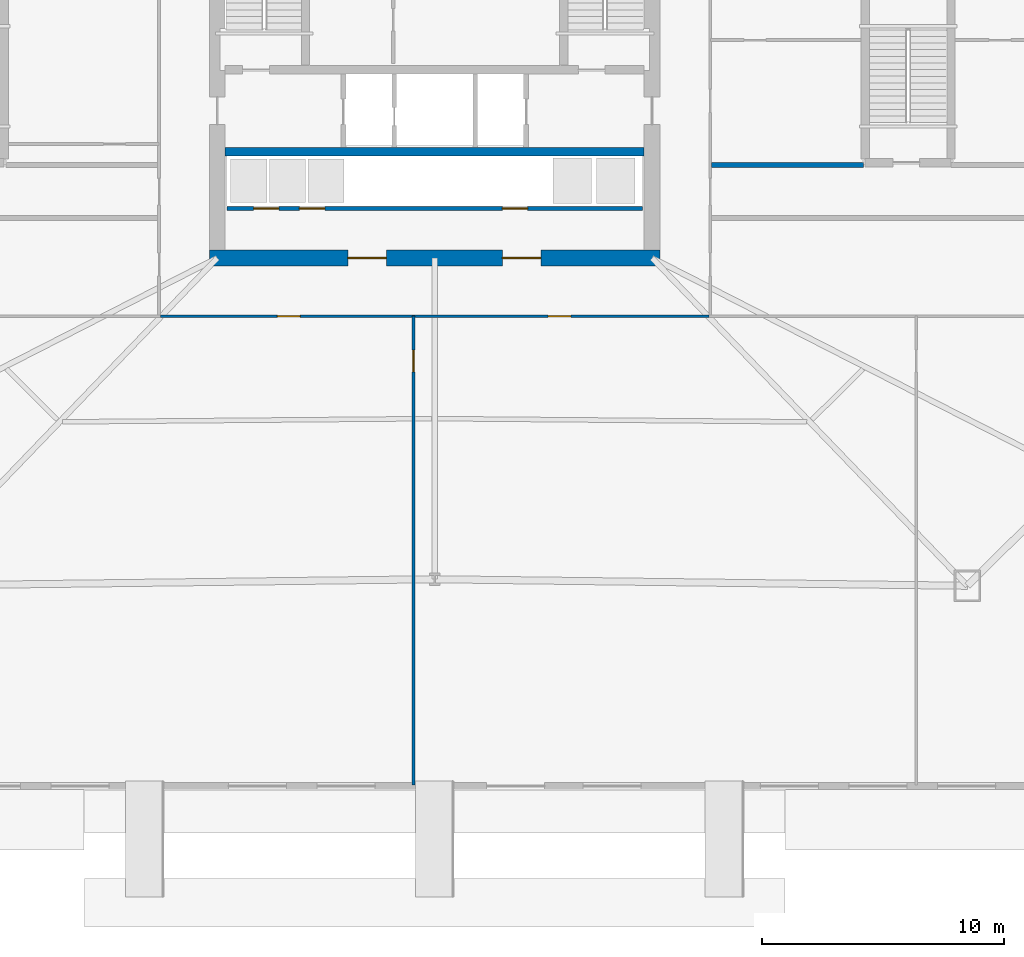
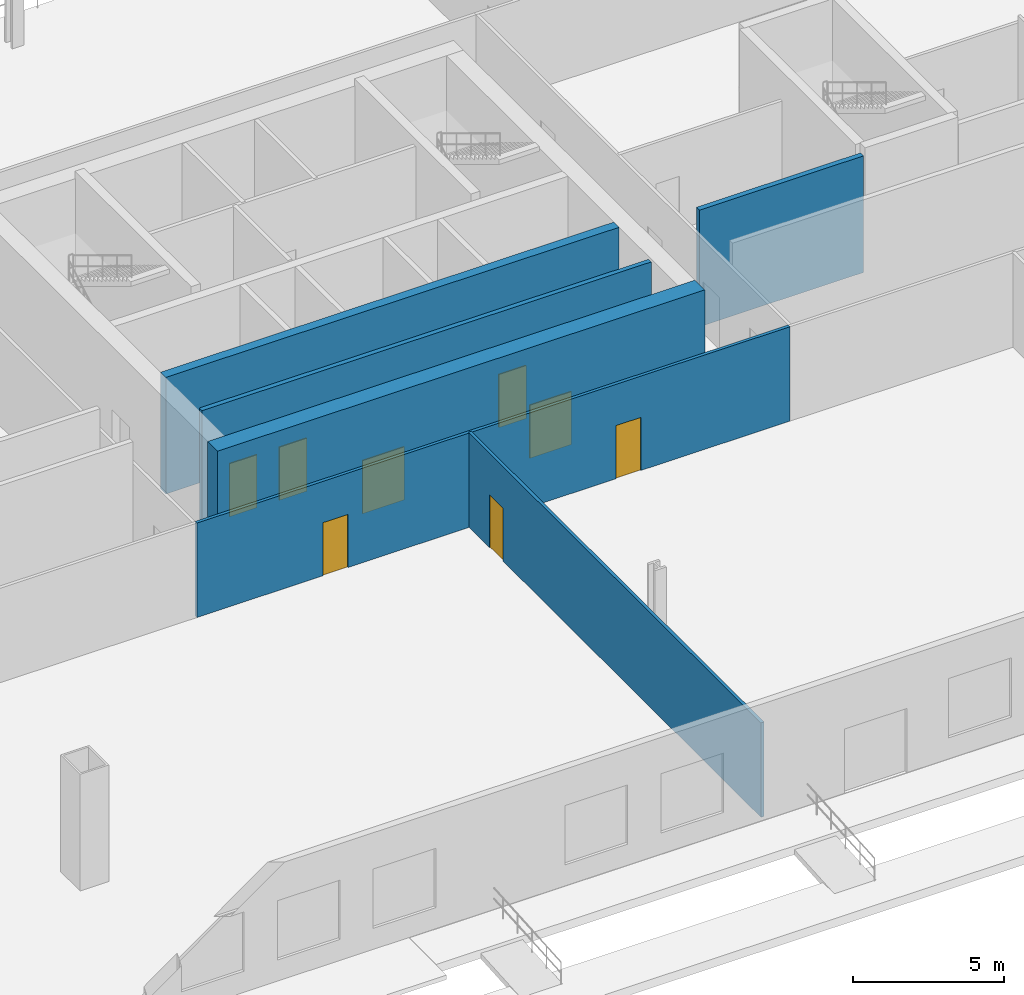
# One storey, part 14 of 23: 8 doors, 6 walls, 8 openings.
"""IFC4 building model written with IfcOpenShell, lengths in metres."""

from ifc_helpers import new_model, si_unit, direction, frame, frame_2d, origin, place, context, subcontext, project, spatial, rectangle, extrude, material, layer, layer_set, type_object, element, fill, save


model = new_model("IFC4")

# Units and contexts
model_context = context("Model", 3, precision=1e-05, world=origin(), true_north=direction((0.0, 1.0)))
body_context = subcontext(model_context, "Body", "Model", "MODEL_VIEW")
ifc_project = project(units=[si_unit("LENGTHUNIT", "METRE"), si_unit("AREAUNIT", "SQUARE_METRE"), si_unit("VOLUMEUNIT", "CUBIC_METRE"), si_unit("PLANEANGLEUNIT", "RADIAN"), si_unit("MASSUNIT", "GRAM", prefix="KILO")], contexts=[model_context])

# Site, building, storey
site_placement = place(None, origin())
site = spatial("IfcSite", under=ifc_project, at=site_placement, CompositionType="ELEMENT")
building_placement = place(site_placement, origin())
building = spatial("IfcBuilding", under=site, at=building_placement, Name="Caelvoria Tower", CompositionType="ELEMENT")
storey_placement = place(building_placement, origin())
storey = spatial("IfcBuildingStorey", under=building, at=storey_placement, Name="L00", CompositionType="ELEMENT", Elevation=0.0)

# Wall
ifc_material_1 = material(Name="Concrete C50/60", Category="concrete")
ifc_layer_1 = layer(ifc_material_1, 0.35009765625, Name="Concrete C50/60")
ifc_layer_set_1 = layer_set([ifc_layer_1], Name="Core Internal Shear Wall 350 - Concrete C50/60")
wall_type_1 = type_object("IfcWallType", Name="Core Internal Shear Wall 350", PredefinedType="SHEAR", material=ifc_layer_set_1)
wall_1_placement = place(storey_placement, frame((37.324951171875, 28.39990234375, 0.0), z_axis=(0.0, 0.0, 1.0), x_axis=(1.0, 0.0, 0.0)))
element("IfcWall", 1, at=wall_1_placement, inside=storey, type_object=wall_type_1, Name="Core Shear Wall L00 M2", PredefinedType="SHEAR", context=body_context, shape_type="SweptSolid", body=[
    extrude(rectangle(XDim=17.35009765625, YDim=0.35009765625, at=frame_2d((8.675048828125, 0.0))), origin(), (0.0, 0.0, 1.0), 4.719970703125),
])

# Wall, openings, doors
ifc_material_2 = material(Name="Concrete Block and Fireboard Assembly", Category="concrete")
ifc_layer_2 = layer(ifc_material_2, 0.179931640625, Name="Concrete Block and Fireboard Assembly")
ifc_layer_set_2 = layer_set([ifc_layer_2], Name="Fire-Rated Hoistway Partition Wall 180 - Concrete Block and Fireboard Assembly")
wall_type_2 = type_object("IfcWallType", Name="Fire-Rated Hoistway Partition Wall 180", PredefinedType="PARTITIONING", material=ifc_layer_set_2)
wall_2_placement = place(storey_placement, frame((37.39990234375, 26.050048828125, 0.0), z_axis=(0.0, 0.0, 1.0), x_axis=(1.0, 0.0, 0.0)))
wall_2 = element("IfcWall", 2, at=wall_2_placement, inside=storey, type_object=wall_type_2, Name="Interior Partition IW-L00-LFRONT", PredefinedType="PARTITIONING", context=body_context, shape_type="SweptSolid", body=[
    extrude(rectangle(XDim=17.2001953125, YDim=0.179931640625, at=frame_2d((8.60009765625, 0.0))), origin(), (0.0, 0.0, 1.0), 4.719970703125),
])
opening_1_placement = place(wall_2_placement, frame((1.10009765625, 0.0, 0.0)))
opening_1 = element("IfcOpeningElement", 3, at=opening_1_placement, cuts=wall_2, Name="Opening LD-01", PredefinedType="OPENING", context=body_context, shape_type="SweptSolid", body=[
    extrude(rectangle(XDim=1.050048828125, YDim=2.14990234375, at=frame_2d((0.52490234375, 1.074951171875))), frame((0.0, 0.099853515625, 0.0), z_axis=(0.0, -1.0, 0.0), x_axis=(1.0, 0.0, 0.0)), (0.0, 0.0, 1.0), 0.199951171875),
])
opening_2_placement = place(wall_2_placement, frame((3.0, 0.0, 0.0)))
opening_2 = element("IfcOpeningElement", 4, at=opening_2_placement, cuts=wall_2, Name="Opening LD-01", PredefinedType="OPENING", context=body_context, shape_type="SweptSolid", body=[
    extrude(rectangle(XDim=1.050048828125, YDim=2.14990234375, at=frame_2d((0.52490234375, 1.074951171875))), frame((0.0, 0.099853515625, 0.0), z_axis=(0.0, -1.0, 0.0), x_axis=(1.0, 0.0, 0.0)), (0.0, 0.0, 1.0), 0.199951171875),
])
opening_3_placement = place(wall_2_placement, frame((11.39990234375, 0.0, 0.0)))
opening_3 = element("IfcOpeningElement", 5, at=opening_3_placement, cuts=wall_2, Name="Opening LD-01", PredefinedType="OPENING", context=body_context, shape_type="SweptSolid", body=[
    extrude(rectangle(XDim=1.050048828125, YDim=2.14990234375, at=frame_2d((0.52490234375, 1.074951171875))), frame((0.0, 0.099853515625, 0.0), z_axis=(0.0, -1.0, 0.0), x_axis=(1.0, 0.0, 0.0)), (0.0, 0.0, 1.0), 0.199951171875),
])
ifc_material_3 = material(Name="Brushed Bronze Stainless Sliding Landing Door", Category="aluminium")
door_type_1 = type_object("IfcDoorType", Name="Lift Landing Sliding Door 1100x2150", OperationType="NOTDEFINED", PredefinedType="DOOR", material=ifc_material_3)
door_1_placement = place(opening_1_placement, origin())
door_1 = element("IfcDoor", 6, at=door_1_placement, inside=storey, type_object=door_type_1, Name="Interior Door LD-L00-PL1", OperationType="SLIDING_TO_LEFT", OverallHeight=2.14990234375, OverallWidth=1.050048828125, PredefinedType="DOOR", context=body_context, shape_type="SweptSolid", body=[
    extrude(rectangle(XDim=1.050048828125, YDim=2.14990234375, at=frame_2d((0.52490234375, 1.074951171875))), frame((0.0, 0.02490234375, 0.0), z_axis=(0.0, -1.0, 0.0), x_axis=(1.0, 0.0, 0.0)), (0.0, 0.0, 1.0), 0.050048828125),
])
fill(opening_1, door_1)
door_2_placement = place(opening_2_placement, origin())
door_2 = element("IfcDoor", 7, at=door_2_placement, inside=storey, type_object=door_type_1, Name="Interior Door LD-L00-PL2", OperationType="SLIDING_TO_RIGHT", OverallHeight=2.14990234375, OverallWidth=1.050048828125, PredefinedType="DOOR", context=body_context, shape_type="SweptSolid", body=[
    extrude(rectangle(XDim=1.050048828125, YDim=2.14990234375, at=frame_2d((0.52490234375, 1.074951171875))), frame((0.0, 0.02490234375, 0.0), z_axis=(0.0, -1.0, 0.0), x_axis=(1.0, 0.0, 0.0)), (0.0, 0.0, 1.0), 0.050048828125),
])
fill(opening_2, door_2)
door_3_placement = place(opening_3_placement, origin())
door_3 = element("IfcDoor", 8, at=door_3_placement, inside=storey, type_object=door_type_1, Name="Interior Door LD-L00-PS1", OperationType="SLIDING_TO_LEFT", OverallHeight=2.14990234375, OverallWidth=1.050048828125, PredefinedType="DOOR", context=body_context, shape_type="SweptSolid", body=[
    extrude(rectangle(XDim=1.050048828125, YDim=2.14990234375, at=frame_2d((0.52490234375, 1.074951171875))), frame((0.0, 0.02490234375, 0.0), z_axis=(0.0, -1.0, 0.0), x_axis=(1.0, 0.0, 0.0)), (0.0, 0.0, 1.0), 0.050048828125),
])
fill(opening_3, door_3)

# Wall
ifc_layer_3 = layer(ifc_material_2, 0.199951171875, Name="Concrete Block and Fireboard Assembly")
ifc_layer_set_3 = layer_set([ifc_layer_3], Name="Fire-Rated Shaft and Core Partition Wall 200 - Concrete Block and Fireboard Assembly")
wall_type_3 = type_object("IfcWallType", Name="Fire-Rated Shaft and Core Partition Wall 200", PredefinedType="PARTITIONING", material=ifc_layer_set_3)
wall_3_placement = place(storey_placement, frame((57.469970703125, 27.85009765625, 0.0), z_axis=(0.0, 0.0, 1.0), x_axis=(1.0, 0.0, 0.0)))
element("IfcWall", 9, at=wall_3_placement, inside=storey, type_object=wall_type_3, Name="Interior Partition IW-L00-EXE-N2", PredefinedType="PARTITIONING", context=body_context, shape_type="SweptSolid", body=[
    extrude(rectangle(XDim=6.280029296875, YDim=0.199951171875, at=frame_2d((3.14013671875, 0.0))), origin(), (0.0, 0.0, 1.0), 4.719970703125),
])

# Wall, openings, doors
ifc_material_4 = material(Name="Concrete C60/75", Category="concrete")
ifc_layer_4 = layer(ifc_material_4, 0.64990234375, Name="Concrete C60/75")
ifc_layer_set_4 = layer_set([ifc_layer_4], Name="Lower Core Shear Wall 650 - Concrete C60/75")
wall_type_4 = type_object("IfcWallType", Name="Lower Core Shear Wall 650", PredefinedType="SHEAR", material=ifc_layer_set_4)
wall_4_placement = place(storey_placement, frame((36.675048828125, 24.0, 0.0), z_axis=(0.0, 0.0, 1.0), x_axis=(1.0, 0.0, 0.0)))
wall_4 = element("IfcWall", 10, at=wall_4_placement, inside=storey, type_object=wall_type_4, Name="Core Shear Wall L00 S", PredefinedType="SHEAR", context=body_context, shape_type="SweptSolid", body=[
    extrude(rectangle(XDim=18.64990234375, YDim=0.64990234375, at=frame_2d((9.324951171875, 0.0))), origin(), (0.0, 0.0, 1.0), 4.719970703125),
])
opening_4_placement = place(wall_4_placement, frame((5.72509765625, 0.0, 0.0)))
opening_4 = element("IfcOpeningElement", 11, at=opening_4_placement, cuts=wall_4, Name="Opening ID-08", PredefinedType="OPENING", context=body_context, shape_type="SweptSolid", body=[
    extrude(rectangle(XDim=1.60009765625, YDim=2.14990234375, at=frame_2d((0.800048828125, 1.074951171875))), frame((0.0, 0.3349609375, 0.0), z_axis=(0.0, -1.0, 0.0), x_axis=(1.0, 0.0, 0.0)), (0.0, 0.0, 1.0), 0.669921875),
])
opening_5_placement = place(wall_4_placement, frame((12.125, 0.0, 0.0)))
opening_5 = element("IfcOpeningElement", 12, at=opening_5_placement, cuts=wall_4, Name="Opening ID-08", PredefinedType="OPENING", context=body_context, shape_type="SweptSolid", body=[
    extrude(rectangle(XDim=1.60009765625, YDim=2.14990234375, at=frame_2d((0.800048828125, 1.074951171875))), frame((0.0, 0.3349609375, 0.0), z_axis=(0.0, -1.0, 0.0), x_axis=(1.0, 0.0, 0.0)), (0.0, 0.0, 1.0), 0.669921875),
])
ifc_material_5 = material(Name="Bronze-Framed Fire-Rated Glazed Double Door", Category="aluminium")
door_type_2 = type_object("IfcDoorType", Name="Double Lobby Glazed Door 1600x2200", OperationType="NOTDEFINED", PredefinedType="DOOR", material=ifc_material_5)
door_4_placement = place(opening_4_placement, origin())
door_4 = element("IfcDoor", 13, at=door_4_placement, inside=storey, type_object=door_type_2, Name="Core Door DR-L00-LLOB-S1", OperationType="DOUBLE_DOOR_SINGLE_SWING", OverallHeight=2.14990234375, OverallWidth=1.60009765625, PredefinedType="DOOR", context=body_context, shape_type="SweptSolid", body=[
    extrude(rectangle(XDim=1.60009765625, YDim=2.14990234375, at=frame_2d((0.800048828125, 1.074951171875))), frame((0.0, 0.02490234375, 0.0), z_axis=(0.0, -1.0, 0.0), x_axis=(1.0, 0.0, 0.0)), (0.0, 0.0, 1.0), 0.050048828125),
])
fill(opening_4, door_4)
door_5_placement = place(opening_5_placement, origin())
door_5 = element("IfcDoor", 14, at=door_5_placement, inside=storey, type_object=door_type_2, Name="Core Door DR-L00-LLOB-S2", OperationType="DOUBLE_DOOR_SINGLE_SWING", OverallHeight=2.14990234375, OverallWidth=1.60009765625, PredefinedType="DOOR", context=body_context, shape_type="SweptSolid", body=[
    extrude(rectangle(XDim=1.60009765625, YDim=2.14990234375, at=frame_2d((0.800048828125, 1.074951171875))), frame((0.0, 0.02490234375, 0.0), z_axis=(0.0, -1.0, 0.0), x_axis=(1.0, 0.0, 0.0)), (0.0, 0.0, 1.0), 0.050048828125),
])
fill(opening_5, door_5)

# Wall, opening, door
ifc_material_6 = material(Name="Acoustic Gypsum Board on Light-Gauge Stud", Category="gypsum")
ifc_layer_5 = layer(ifc_material_6, 0.1201171875, Name="Acoustic Gypsum Board on Light-Gauge Stud")
ifc_layer_set_5 = layer_set([ifc_layer_5], Name="Tenant Suite Acoustic Partition Wall 120 - Acoustic Gypsum Board on Light-Gauge Stud")
wall_type_5 = type_object("IfcWallType", Name="Tenant Suite Acoustic Partition Wall 120", PredefinedType="PARTITIONING", material=ifc_layer_set_5)
wall_5_placement = place(storey_placement, frame((45.125, 21.590087890625, 0.0), z_axis=(0.0, 0.0, 1.0), x_axis=(0.0, -1.0, 0.0)))
wall_5 = element("IfcWall", 15, at=wall_5_placement, inside=storey, type_object=wall_type_5, Name="Interior Partition IW-L00-SD-01-0", PredefinedType="PARTITIONING", context=body_context, shape_type="SweptSolid", body=[
    extrude(rectangle(XDim=19.41015625, YDim=0.1201171875, at=frame_2d((9.705078125, 0.0))), origin(), (0.0, 0.0, 1.0), 3.820068359375),
])
opening_6_placement = place(wall_5_placement, frame((1.39990234375, 0.0, 0.0)))
opening_6 = element("IfcOpeningElement", 16, at=opening_6_placement, cuts=wall_5, Name="Opening ID-06", PredefinedType="OPENING", context=body_context, shape_type="SweptSolid", body=[
    extrude(rectangle(XDim=0.89990234375, YDim=2.14990234375, at=frame_2d((0.449951171875, 1.074951171875))), frame((0.0, 0.070068359375, 0.0), z_axis=(0.0, -1.0, 0.0), x_axis=(1.0, 0.0, 0.0)), (0.0, 0.0, 1.0), 0.14013671875),
])
ifc_material_7 = material(Name="Engineered Andean Oak Veneer Door", Category="wood")
door_type_3 = type_object("IfcDoorType", Name="Interior Timber Door 900x2150", OperationType="NOTDEFINED", PredefinedType="DOOR", material=ifc_material_7)
door_6_placement = place(opening_6_placement, origin())
door_6 = element("IfcDoor", 17, at=door_6_placement, inside=storey, type_object=door_type_3, Name="Interior Door DR-L00-SM-01-0", OperationType="SINGLE_SWING_LEFT", OverallHeight=2.14990234375, OverallWidth=0.89990234375, PredefinedType="DOOR", context=body_context, shape_type="SweptSolid", body=[
    extrude(rectangle(XDim=0.89990234375, YDim=2.14990234375, at=frame_2d((0.449951171875, 1.074951171875))), frame((0.0, 0.02490234375, 0.0), z_axis=(0.0, -1.0, 0.0), x_axis=(1.0, 0.0, 0.0)), (0.0, 0.0, 1.0), 0.050048828125),
])
fill(opening_6, door_6)

# Wall, openings, doors
wall_6_placement = place(storey_placement, frame((34.64990234375, 21.590087890625, 0.0), z_axis=(0.0, 0.0, 1.0), x_axis=(1.0, 0.0, 0.0)))
wall_6 = element("IfcWall", 18, at=wall_6_placement, inside=storey, type_object=wall_type_5, Name="Interior Partition IW-L00-SCW-0", PredefinedType="PARTITIONING", context=body_context, shape_type="SweptSolid", body=[
    extrude(rectangle(XDim=22.7001953125, YDim=0.1201171875, at=frame_2d((11.35009765625, 0.0))), origin(), (0.0, 0.0, 1.0), 3.820068359375),
])
opening_7_placement = place(wall_6_placement, frame((4.83251953125, 0.0, 0.0)))
opening_7 = element("IfcOpeningElement", 19, at=opening_7_placement, cuts=wall_6, Name="Opening ID-05", PredefinedType="OPENING", context=body_context, shape_type="SweptSolid", body=[
    extrude(rectangle(XDim=0.949951171875, YDim=2.14990234375, at=frame_2d((0.47509765625, 1.074951171875))), frame((0.0, 0.070068359375, 0.0), z_axis=(0.0, -1.0, 0.0), x_axis=(1.0, 0.0, 0.0)), (0.0, 0.0, 1.0), 0.14013671875),
])
opening_8_placement = place(wall_6_placement, frame((16.04248046875, 0.0, 0.0)))
opening_8 = element("IfcOpeningElement", 20, at=opening_8_placement, cuts=wall_6, Name="Opening ID-05", PredefinedType="OPENING", context=body_context, shape_type="SweptSolid", body=[
    extrude(rectangle(XDim=0.949951171875, YDim=2.14990234375, at=frame_2d((0.47509765625, 1.074951171875))), frame((0.0, 0.070068359375, 0.0), z_axis=(0.0, -1.0, 0.0), x_axis=(1.0, 0.0, 0.0)), (0.0, 0.0, 1.0), 0.14013671875),
])
door_type_4 = type_object("IfcDoorType", Name="Interior Timber Door 950x2150", OperationType="NOTDEFINED", PredefinedType="DOOR", material=ifc_material_7)
door_7_placement = place(opening_7_placement, origin())
door_7 = element("IfcDoor", 21, at=door_7_placement, inside=storey, type_object=door_type_4, Name="Interior Door DR-L00-SC-01-0", OperationType="SINGLE_SWING_RIGHT", OverallHeight=2.14990234375, OverallWidth=0.949951171875, PredefinedType="DOOR", context=body_context, shape_type="SweptSolid", body=[
    extrude(rectangle(XDim=0.949951171875, YDim=2.14990234375, at=frame_2d((0.47509765625, 1.074951171875))), frame((0.0, 0.02490234375, 0.0), z_axis=(0.0, -1.0, 0.0), x_axis=(1.0, 0.0, 0.0)), (0.0, 0.0, 1.0), 0.050048828125),
])
fill(opening_7, door_7)
door_8_placement = place(opening_8_placement, origin())
door_8 = element("IfcDoor", 22, at=door_8_placement, inside=storey, type_object=door_type_4, Name="Interior Door DR-L00-SC-02-0", OperationType="SINGLE_SWING_LEFT", OverallHeight=2.14990234375, OverallWidth=0.949951171875, PredefinedType="DOOR", context=body_context, shape_type="SweptSolid", body=[
    extrude(rectangle(XDim=0.949951171875, YDim=2.14990234375, at=frame_2d((0.47509765625, 1.074951171875))), frame((0.0, 0.02490234375, 0.0), z_axis=(0.0, -1.0, 0.0), x_axis=(1.0, 0.0, 0.0)), (0.0, 0.0, 1.0), 0.050048828125),
])
fill(opening_8, door_8)

save(model, "model.ifc")
